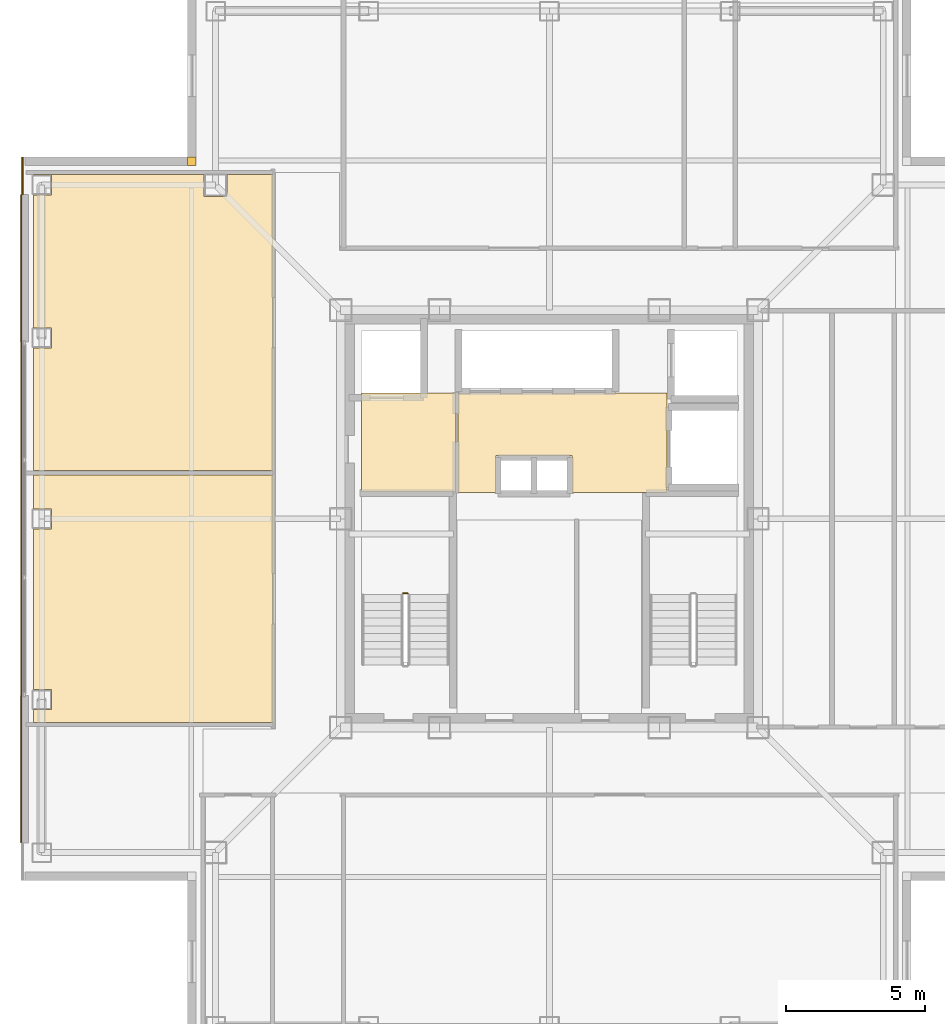
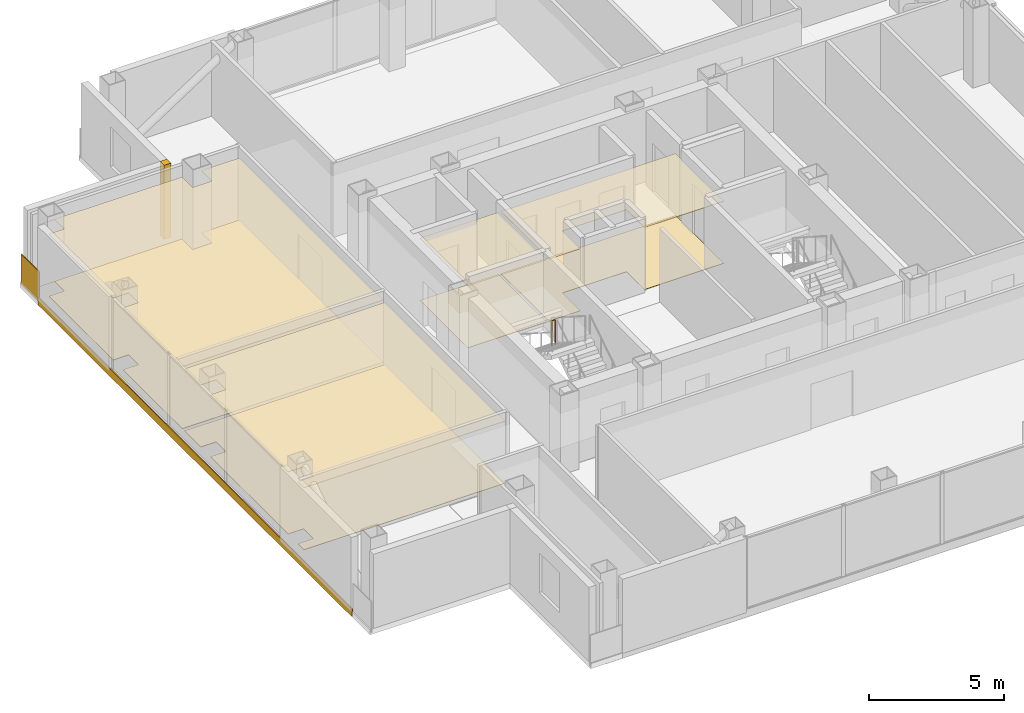
# One storey, part 13 of 16: 11 coverings, 1 railing.
"""IFC4 building model written with IfcOpenShell, lengths in metres."""

from ifc_helpers import new_model, si_unit, direction, frame, frame_2d, origin, origin_2d, place, context, subcontext, project, spatial, polyline, rectangle, circle, outline, extrude, material, layer, layer_set, type_object, element, save


model = new_model("IFC4")

# Units and contexts
model_context = context("Model", 3, precision=1e-05, world=origin(), true_north=direction((0.0, 1.0)))
body_context = subcontext(model_context, "Body", "Model", "MODEL_VIEW")
ifc_project = project(units=[si_unit("LENGTHUNIT", "METRE"), si_unit("AREAUNIT", "SQUARE_METRE"), si_unit("VOLUMEUNIT", "CUBIC_METRE"), si_unit("PLANEANGLEUNIT", "RADIAN"), si_unit("MASSUNIT", "GRAM", prefix="KILO")], contexts=[model_context])

# Site, building, storey
site_placement = place(None, origin())
site = spatial("IfcSite", under=ifc_project, at=site_placement, CompositionType="ELEMENT")
building_placement = place(site_placement, origin())
building = spatial("IfcBuilding", under=site, at=building_placement, Name="Trevonay Congress Spire", CompositionType="ELEMENT")
storey_placement = place(building_placement, frame((0.0, 0.0, 257.60009765625)))
storey = spatial("IfcBuildingStorey", under=building, at=storey_placement, Name="L67", CompositionType="ELEMENT", Elevation=257.60009765625)

# Coverings
ifc_material_1 = material(Name="Acoustic Mineral Fibre Board", Category="gypsum")
ifc_layer_1 = layer(ifc_material_1, 0.02490234375, Name="Acoustic Mineral Fibre Board")
ifc_layer_set_1 = layer_set([ifc_layer_1], Name="Acoustic Mineral Fibre Board")
covering_type_1 = type_object("IfcCoveringType", Name="COV-CEIL-ACOUSTIC", PredefinedType="CEILING", material=ifc_layer_set_1)
covering_1_placement = place(storey_placement, frame((0.0, 0.0, 2.809814453125)))
element("IfcCovering", 1, at=covering_1_placement, inside=storey, type_object=covering_type_1, Name="L67 Firefighting Lift Lobby West acoustic suspended ceiling", PredefinedType="CEILING", context=body_context, shape_type="SweptSolid", body=[
    extrude(outline(polyline([(-6.75, 0.9599609375), (-3.3798828125, 0.9599609375), (-3.3798828125, 4.52001953125), (-6.75, 4.52001953125), (-6.75, 0.9599609375)])), origin(), (0.0, 0.0, 1.0), 0.025146484375),
])
covering_2_placement = place(storey_placement, frame((0.0, 0.0, 2.809814453125)))
element("IfcCovering", 2, at=covering_2_placement, inside=storey, type_object=covering_type_1, Name="L67 Central and High-Rise Passenger Lift Lobby acoustic suspended ceiling", PredefinedType="CEILING", context=body_context, shape_type="SweptSolid", body=[
    extrude(outline(polyline([(-3.280029296875, 0.949951171875), (-1.919921875, 0.949951171875), (-1.919921875, 2.280029296875), (0.820068359375, 2.280029296875), (0.820068359375, 0.949951171875), (4.219970703125, 0.949951171875), (4.219970703125, 4.52001953125), (-3.280029296875, 4.52001953125), (-3.280029296875, 0.949951171875)])), origin(), (0.0, 0.0, 1.0), 0.025146484375),
])
covering_3_placement = place(storey_placement, frame((0.0, 0.0, 2.809814453125)))
element("IfcCovering", 3, at=covering_3_placement, inside=storey, type_object=covering_type_1, Name="L67 State Culinary Hot Kitchen acoustic suspended ceiling", PredefinedType="CEILING", context=body_context, shape_type="SweptSolid", body=[
    extrude(outline(polyline([(-18.550048828125, 1.570068359375), (-9.929931640625, 1.570068359375), (-9.929931640625, -7.320068359375), (-18.550048828125, -7.320068359375), (-18.550048828125, -6.860107421875), (-17.889892578125, -6.860107421875), (-17.889892578125, -6.139892578125), (-18.550048828125, -6.139892578125), (-18.550048828125, -0.360107421875), (-17.889892578125, -0.360107421875), (-17.889892578125, 0.360107421875), (-18.550048828125, 0.360107421875), (-18.550048828125, 1.570068359375)])), origin(), (0.0, 0.0, 1.0), 0.025146484375),
])
covering_4_placement = place(storey_placement, frame((0.0, 0.0, 2.809814453125)))
element("IfcCovering", 4, at=covering_4_placement, inside=storey, type_object=covering_type_1, Name="L67 Cold Larder and Bakery Kitchen acoustic suspended ceiling", PredefinedType="CEILING", context=body_context, shape_type="SweptSolid", body=[
    extrude(outline(polyline([(-9.929931640625, 12.3701171875), (-9.929931640625, 1.72998046875), (-18.550048828125, 1.72998046875), (-18.550048828125, 6.139892578125), (-17.889892578125, 6.139892578125), (-17.889892578125, 6.860107421875), (-18.550048828125, 6.860107421875), (-18.550048828125, 11.639892578125), (-17.889892578125, 11.639892578125), (-17.889892578125, 12.360107421875), (-18.550048828125, 12.360107421875), (-18.550048828125, 12.3701171875), (-12.409912109375, 12.3701171875), (-12.409912109375, 11.590087890625), (-11.590087890625, 11.590087890625), (-11.590087890625, 12.3701171875), (-9.929931640625, 12.3701171875)])), origin(), (0.0, 0.0, 1.0), 0.025146484375),
])
ifc_material_2 = material(Name="Polished Granite Floor Tile", Category="masonry")
ifc_layer_2 = layer(ifc_material_2, 0.02001953125, Name="Polished Granite Floor Tile")
ifc_layer_set_2 = layer_set([ifc_layer_2], Name="Polished Granite Floor Tile")
covering_type_2 = type_object("IfcCoveringType", Name="COV-FLOOR-STONE", PredefinedType="FLOORING", material=ifc_layer_set_2)
covering_5_placement = place(storey_placement, origin())
element("IfcCovering", 5, at=covering_5_placement, inside=storey, type_object=covering_type_2, Name="L67 Firefighting Lift Lobby West floor finish", PredefinedType="FLOORING", context=body_context, shape_type="SweptSolid", body=[
    extrude(outline(polyline([(-6.75, 0.9599609375), (-3.3798828125, 0.9599609375), (-3.3798828125, 4.52001953125), (-6.75, 4.52001953125), (-6.75, 0.9599609375)])), origin(), (0.0, 0.0, 1.0), 0.02001953125),
])
covering_6_placement = place(storey_placement, origin())
element("IfcCovering", 6, at=covering_6_placement, inside=storey, type_object=covering_type_2, Name="L67 Central and High-Rise Passenger Lift Lobby floor finish", PredefinedType="FLOORING", context=body_context, shape_type="SweptSolid", body=[
    extrude(outline(polyline([(-3.280029296875, 0.949951171875), (-1.919921875, 0.949951171875), (-1.919921875, 2.280029296875), (0.820068359375, 2.280029296875), (0.820068359375, 0.949951171875), (4.219970703125, 0.949951171875), (4.219970703125, 4.52001953125), (-3.280029296875, 4.52001953125), (-3.280029296875, 0.949951171875)])), origin(), (0.0, 0.0, 1.0), 0.02001953125),
])
covering_7_placement = place(storey_placement, origin())
element("IfcCovering", 7, at=covering_7_placement, inside=storey, type_object=covering_type_2, Name="L67 State Culinary Hot Kitchen floor finish", PredefinedType="FLOORING", context=body_context, shape_type="SweptSolid", body=[
    extrude(outline(polyline([(-18.550048828125, 1.570068359375), (-9.929931640625, 1.570068359375), (-9.929931640625, -7.320068359375), (-18.550048828125, -7.320068359375), (-18.550048828125, -6.860107421875), (-17.889892578125, -6.860107421875), (-17.889892578125, -6.139892578125), (-18.550048828125, -6.139892578125), (-18.550048828125, -0.360107421875), (-17.889892578125, -0.360107421875), (-17.889892578125, 0.360107421875), (-18.550048828125, 0.360107421875), (-18.550048828125, 1.570068359375)])), origin(), (0.0, 0.0, 1.0), 0.02001953125),
])
covering_8_placement = place(storey_placement, origin())
element("IfcCovering", 8, at=covering_8_placement, inside=storey, type_object=covering_type_2, Name="L67 Cold Larder and Bakery Kitchen floor finish", PredefinedType="FLOORING", context=body_context, shape_type="SweptSolid", body=[
    extrude(outline(polyline([(-9.929931640625, 12.3701171875), (-9.929931640625, 1.72998046875), (-18.550048828125, 1.72998046875), (-18.550048828125, 6.139892578125), (-17.889892578125, 6.139892578125), (-17.889892578125, 6.860107421875), (-18.550048828125, 6.860107421875), (-18.550048828125, 11.639892578125), (-17.889892578125, 11.639892578125), (-17.889892578125, 12.360107421875), (-18.550048828125, 12.360107421875), (-18.550048828125, 12.3701171875), (-12.409912109375, 12.3701171875), (-12.409912109375, 11.590087890625), (-11.590087890625, 11.590087890625), (-11.590087890625, 12.3701171875), (-9.929931640625, 12.3701171875)])), origin(), (0.0, 0.0, 1.0), 0.02001953125),
])
ifc_material_3 = material(Name="Pale Anodised Aluminium EN AW-6063-T6", Category="aluminium")
ifc_layer_3 = layer(ifc_material_3, 0.0400390625, Name="Pale Anodised Aluminium EN AW-6063-T6")
ifc_layer_set_3 = layer_set([ifc_layer_3], Name="Pale Anodised Aluminium EN AW-6063-T6")
covering_type_3 = type_object("IfcCoveringType", Name="COV-SPANDREL-PALE-METAL", PredefinedType="CLADDING", material=ifc_layer_set_3)
covering_9_placement = place(storey_placement, frame((-18.97998046875, -11.64990234375, -0.239990234375), z_axis=(0.0, 0.0, 1.0), x_axis=(0.0, 1.0, 0.0)))
element("IfcCovering", 9, at=covering_9_placement, inside=storey, type_object=covering_type_3, Name="L67 W pale-metal slab-edge spandrel cladding", PredefinedType="CLADDING", context=body_context, shape_type="SweptSolid", body=[
    extrude(rectangle(XDim=23.2998046875, YDim=0.0400390625, at=frame_2d((11.64990234375, 0.0))), origin(), (0.0, 0.0, 1.0), 0.35986328125),
])
covering_10_placement = place(storey_placement, origin())
element("IfcCovering", 10, at=covering_10_placement, inside=storey, type_object=covering_type_3, Name="L67 NW re-entrant notch corner closure trim", PredefinedType="CLADDING", context=body_context, shape_type="SweptSolid", body=[
    extrude(outline(polyline([(-13.0, 12.699951171875), (-12.699951171875, 12.699951171875), (-12.699951171875, 13.0), (-13.0, 13.0), (-13.0, 12.699951171875)])), origin(), (0.0, 0.0, 1.0), 3.35986328125),
])
covering_11_placement = place(storey_placement, frame((-18.93994140625, 11.64990234375, -0.150146484375), z_axis=(0.0, 0.0, 1.0), x_axis=(0.0, 1.0, 0.0)))
element("IfcCovering", 11, at=covering_11_placement, inside=storey, type_object=covering_type_3, Name="L67 NW corner pier spandrel cladding 1", PredefinedType="CLADDING", context=body_context, shape_type="SweptSolid", body=[
    extrude(rectangle(XDim=1.35009765625, YDim=0.0400390625, at=frame_2d((0.675048828125, 0.0))), origin(), (0.0, 0.0, 1.0), 1.400146484375),
])

# Railing
railing_type = type_object("IfcRailingType", Name="RAL-STAIR-GUARD-110", PredefinedType="GUARDRAIL", material=ifc_material_3)
railing_placement = place(storey_placement, frame((-5.10009765625, -2.679931640625, 1.7998046875)))
element("IfcRailing", 12, at=railing_placement, inside=storey, type_object=railing_type, Name="L67 ST-1 stair guard 2", PredefinedType="GUARDRAIL", context=body_context, shape_type="SweptSolid", body=[
    extrude(circle(Radius=0.02392578125, at=origin_2d()), frame((0.0, 0.0, 1.1259765625), z_axis=(-1.0, 0.0, 0.0), x_axis=(0.0, -1.0, 0.0)), (0.0, 0.0, 1.0), 0.14990234375),
    extrude(circle(Radius=0.02099609375, at=origin_2d()), origin(), (0.0, 0.0, 1.0), 1.101806640625),
    extrude(circle(Radius=0.02099609375, at=origin_2d()), frame((-0.14990234375, 0.0, 0.0)), (0.0, 0.0, 1.0), 1.101806640625),
])

save(model, "model.ifc")
